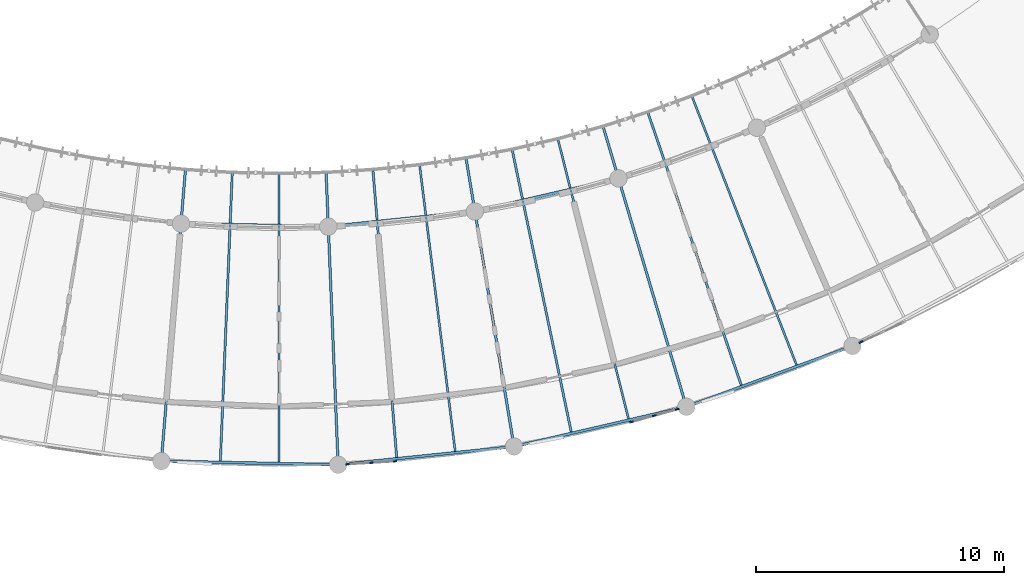
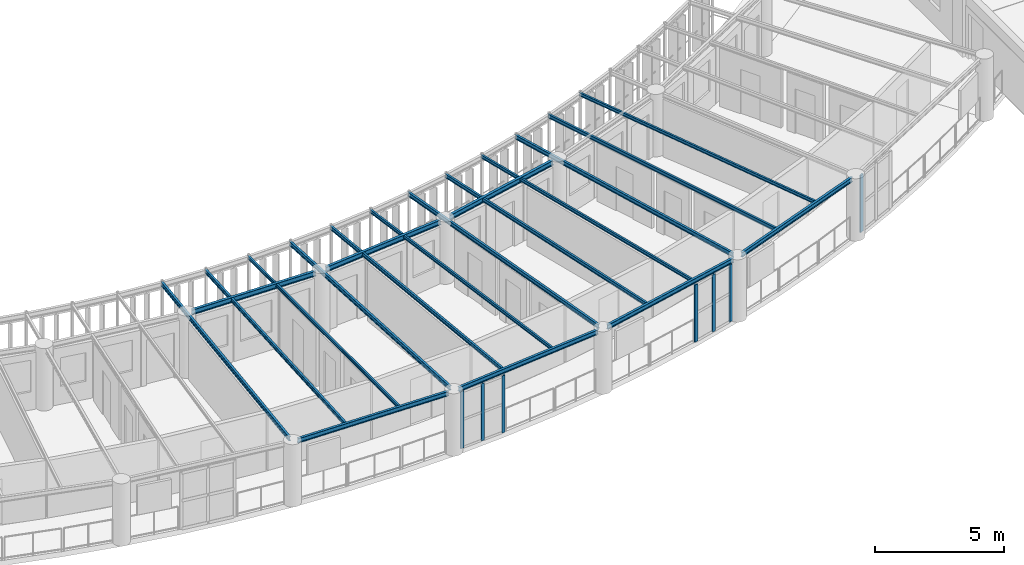
# One storey, part 28 of 137: 19 beams, 7 members, 3 elements without a shape of their own.
"""IFC4 building model written with IfcOpenShell, lengths in metres."""

from ifc_helpers import new_model, si_unit, direction, frame, origin, origin_2d, place, context, subcontext, project, spatial, rectangle, i_section, extrude, material, layer, layer_set, material_profile, profile_set, type_object, element, aggregate, save


model = new_model("IFC4")

# Units and contexts
model_context = context("Model", 3, precision=1e-05, world=origin(), true_north=direction((0.0, 1.0)))
body_context = subcontext(model_context, "Body", "Model", "MODEL_VIEW")
ifc_project = project(units=[si_unit("LENGTHUNIT", "METRE"), si_unit("AREAUNIT", "SQUARE_METRE"), si_unit("VOLUMEUNIT", "CUBIC_METRE"), si_unit("PLANEANGLEUNIT", "RADIAN"), si_unit("MASSUNIT", "GRAM", prefix="KILO"), si_unit("POWERUNIT", "WATT"), si_unit("THERMODYNAMICTEMPERATUREUNIT", "KELVIN")], contexts=[model_context])

# Site, building, storey
site_placement = place(None, origin())
site = spatial("IfcSite", under=ifc_project, at=site_placement, CompositionType="ELEMENT")
building_placement = place(site_placement, origin())
building = spatial("IfcBuilding", under=site, at=building_placement, Name="Ruvembo Vaulted Housing Court", CompositionType="ELEMENT")
storey_placement = place(building_placement, frame((0.0, 0.0, 4.5)))
storey = spatial("IfcBuildingStorey", under=building, at=storey_placement, Name="L01", CompositionType="ELEMENT", Elevation=4.5)

# Beams
ifc_material_1 = material(Name="Steel S355J2", Category="steel")
ifc_material_profile_1 = material_profile(ifc_material_1, i_section(OverallWidth=0.08203125, OverallDepth=0.159912109375, WebThickness=0.0048828125, FlangeThickness=0.00732421875, FilletRadius=0.009033203125, at=origin_2d()), Name="IPE 160")
ifc_profile_set_1 = profile_set([ifc_material_profile_1], Name="Steel S355J2")
beam_type_1 = type_object("IfcBeamType", Name="BM-ST-IPE160", PredefinedType="JOIST", material=ifc_profile_set_1)
beam_1_placement = place(storey_placement, frame((69.0, 4.548095703125, 2.860107421875), z_axis=(0.0, 1.0, 0.0), x_axis=(-1.0, 0.0, 0.0)))
element("IfcBeam", 1, at=beam_1_placement, inside=storey, type_object=beam_type_1, Name="Scoop SC2 L01 Radial Steel Joist 14", PredefinedType="JOIST", context=body_context, shape_type="SweptSolid", body=[
    extrude(i_section(OverallWidth=0.08203125, OverallDepth=0.159912109375, WebThickness=0.0048828125, FlangeThickness=0.00732421875, FilletRadius=0.009033203125, at=origin_2d()), origin(), (0.0, 0.0, 1.0), 11.69189453125),
])
beam_2_placement = place(storey_placement, frame((76.092041015625, 4.9873046875, 2.860107421875), z_axis=(-0.123446200649, 0.992351266208, 0.0), x_axis=(-0.992351266208, -0.123446200649, 0.0)))
element("IfcBeam", 2, at=beam_2_placement, inside=storey, type_object=beam_type_1, Name="Scoop SC2 L01 Radial Steel Joist 17", PredefinedType="JOIST", context=body_context, shape_type="SweptSolid", body=[
    extrude(i_section(OverallWidth=0.08203125, OverallDepth=0.159912109375, WebThickness=0.0048828125, FlangeThickness=0.00732421875, FilletRadius=0.009033203125, at=origin_2d()), origin(), (0.0, 0.0, 1.0), 11.692138671875),
])
for number, where, z_axis, x_axis, name in (
    (3, (83.07568359375, 6.299072265625, 2.860107421875), (-0.24500130138, 0.96952274977, 0.0), (-0.96952274977, -0.24500130138, 0.0), "Scoop SC2 L01 Radial Steel Joist 20"),
    (4, (89.843994140625, 8.462646484375, 2.860107421875), (-0.362810002235, 0.93186313495, 0.0), (-0.93186313495, -0.362810002235, 0.0), "Scoop SC2 L01 Radial Steel Joist 23"),
):
    element("IfcBeam", number, at=place(storey_placement, frame(where, z_axis=z_axis, x_axis=x_axis)), inside=storey, type_object=beam_type_1, Name=name, PredefinedType="JOIST", context=body_context, shape_type="SweptSolid", body=[
        extrude(i_section(OverallWidth=0.08203125, OverallDepth=0.159912109375, WebThickness=0.0048828125, FlangeThickness=0.00732421875, FilletRadius=0.009033203125, at=origin_2d()), origin(), (0.0, 0.0, 1.0), 11.69189453125),
    ])
ifc_material_profile_2 = material_profile(ifc_material_1, i_section(OverallWidth=0.091064453125, OverallDepth=0.179931640625, WebThickness=0.00537109375, FlangeThickness=0.008056640625, FilletRadius=0.009033203125, at=origin_2d()), Name="IPE 180")
ifc_profile_set_2 = profile_set([ifc_material_profile_2], Name="Steel S355J2")
beam_type_2 = type_object("IfcBeamType", Name="BM-ST-IPE180", PredefinedType="JOIST", material=ifc_profile_set_2)
for number, where, z_axis, x_axis, name in (
    (5, (66.630615234375, 4.596923828125, 2.85009765625), (0.041239703888, 0.999149281551, 0.0), (-0.999149281551, 0.041239703888, 0.0), "Scoop SC2 L01 Radial Steel Joist 13"),
    (6, (73.73486328125, 4.743408203125, 2.85009765625), (-0.082416447745, 0.996597977693, 0.0), (-0.996597977693, -0.082416447745, 0.0), "Scoop SC2 L01 Radial Steel Joist 16"),
):
    element("IfcBeam", number, at=place(storey_placement, frame(where, z_axis=z_axis, x_axis=x_axis)), inside=storey, type_object=beam_type_2, Name=name, PredefinedType="JOIST", context=body_context, shape_type="SweptSolid", body=[
        extrude(i_section(OverallWidth=0.091064453125, OverallDepth=0.179931640625, WebThickness=0.00537109375, FlangeThickness=0.008056640625, FilletRadius=0.009033203125, at=origin_2d()), origin(), (0.0, 0.0, 1.0), 11.692138671875),
    ])
beam_3_placement = place(storey_placement, frame((80.7666015625, 5.765869140625, 2.85009765625), z_axis=(-0.204822214104, 0.9787991932, 0.0), x_axis=(-0.9787991932, -0.204822214104, 0.0)))
element("IfcBeam", 7, at=beam_3_placement, inside=storey, type_object=beam_type_2, Name="Scoop SC2 L01 Radial Steel Joist 19", PredefinedType="JOIST", context=body_context, shape_type="SweptSolid", body=[
    extrude(i_section(OverallWidth=0.091064453125, OverallDepth=0.179931640625, WebThickness=0.00537109375, FlangeThickness=0.008056640625, FilletRadius=0.009033203125, at=origin_2d()), origin(), (0.0, 0.0, 1.0), 11.69189453125),
])
beam_4_placement = place(storey_placement, frame((87.618408203125, 7.6484375, 2.85009765625), z_axis=(-0.324072338174, 0.946032303693, 0.0), x_axis=(-0.946032303693, -0.324072338174, 0.0)))
element("IfcBeam", 8, at=beam_4_placement, inside=storey, type_object=beam_type_2, Name="Scoop SC2 L01 Radial Steel Joist 22", PredefinedType="JOIST", context=body_context, shape_type="SweptSolid", body=[
    extrude(i_section(OverallWidth=0.091064453125, OverallDepth=0.179931640625, WebThickness=0.00537109375, FlangeThickness=0.008056640625, FilletRadius=0.009033203125, at=origin_2d()), origin(), (0.0, 0.0, 1.0), 11.692138671875),
])
ifc_material_profile_3 = material_profile(ifc_material_1, i_section(OverallWidth=0.10009765625, OverallDepth=0.199951171875, WebThickness=0.005615234375, FlangeThickness=0.008544921875, FilletRadius=0.011962890625, at=origin_2d()), Name="IPE 200")
ifc_profile_set_3 = profile_set([ifc_material_profile_3], Name="Steel S355J2")
beam_type_3 = type_object("IfcBeamType", Name="BM-ST-IPE200", PredefinedType="BEAM", material=ifc_profile_set_3)
for number, where, z_axis, x_axis, name in (
    (9, (64.27197265625, 4.8251953125, 2.840087890625), (0.082410260581, 0.996598489338, 0.0), (-0.996598489338, 0.082410260581, 0.0), "Scoop SC2 L01 Radial Steel Joist 12"),
    (10, (71.365966796875, 4.6787109375, 2.840087890625), (-0.041236073555, 0.999149431385, 0.0), (-0.999149431385, -0.041236073555, 0.0), "Scoop SC2 L01 Radial Steel Joist 15"),
    (11, (78.423828125, 5.4091796875, 2.840087890625), (-0.164272816363, 0.986414944029, 0.0), (-0.986414944029, -0.164272816363, 0.0), "Scoop SC2 L01 Radial Steel Joist 18"),
):
    element("IfcBeam", number, at=place(storey_placement, frame(where, z_axis=z_axis, x_axis=x_axis)), inside=storey, type_object=beam_type_3, Name=name, PredefinedType="BEAM", context=body_context, shape_type="SweptSolid", body=[
        extrude(i_section(OverallWidth=0.10009765625, OverallDepth=0.199951171875, WebThickness=0.005615234375, FlangeThickness=0.008544921875, FilletRadius=0.011962890625, at=origin_2d()), origin(), (0.0, 0.0, 1.0), 11.610107421875),
    ])
beam_5_placement = place(storey_placement, frame((85.337646484375, 7.005615234375, 2.840087890625), z_axis=(-0.28479063066, 0.95858974368, 0.0), x_axis=(-0.95858974368, -0.28479063066, 0.0)))
element("IfcBeam", 12, at=beam_5_placement, inside=storey, type_object=beam_type_3, Name="Scoop SC2 L01 Radial Steel Joist 21", PredefinedType="BEAM", context=body_context, shape_type="SweptSolid", body=[
    extrude(i_section(OverallWidth=0.10009765625, OverallDepth=0.199951171875, WebThickness=0.005615234375, FlangeThickness=0.008544921875, FilletRadius=0.011962890625, at=origin_2d()), origin(), (0.0, 0.0, 1.0), 11.60986328125),
])
ifc_material_profile_4 = material_profile(ifc_material_1, i_section(OverallWidth=0.110107421875, OverallDepth=0.219970703125, WebThickness=0.005859375, FlangeThickness=0.00927734375, FilletRadius=0.011962890625, at=origin_2d()), Name="IPE 220")
ifc_profile_set_4 = profile_set([ifc_material_profile_4], Name="Steel S355J2")
beam_type_4 = type_object("IfcBeamType", Name="BM-ST-IPE220", PredefinedType="SPANDREL", material=ifc_profile_set_4)
for number, where, z_axis, x_axis, name in (
    (13, (64.48291015625, 4.59130859375, 2.83203125), (0.999786507784, -0.020662498732, 0.0), (0.020662498732, 0.999786507784, 0.0), "Scoop SC2 L01 Chord Girder B12"),
    (14, (71.604248046875, 4.47265625, 2.83203125), (0.994687008603, 0.102945397745, 0.0), (-0.102945397745, 0.994687008603, 0.0), "Scoop SC2 L01 Chord Girder B15"),
    (15, (78.685791015625, 5.234130859375, 2.83203125), (0.974363402743, 0.224979908868, 0.0), (-0.224979908868, 0.974363402743, 0.0), "Scoop SC2 L01 Chord Girder B18"),
    (16, (85.619140625, 6.864013671875, 2.83203125), (0.939142455979, 0.343527942645, 0.0), (-0.343527942645, 0.939142455979, 0.0), "Scoop SC2 L01 Chord Girder B21"),
):
    element("IfcBeam", number, at=place(storey_placement, frame(where, z_axis=z_axis, x_axis=x_axis)), inside=storey, type_object=beam_type_4, Name=name, PredefinedType="SPANDREL", context=body_context, shape_type="SweptSolid", body=[
        extrude(i_section(OverallWidth=0.110107421875, OverallDepth=0.219970703125, WebThickness=0.005859375, FlangeThickness=0.00927734375, FilletRadius=0.011962890625, at=origin_2d()), origin(), (0.0, 0.0, 1.0), 6.6640625),
    ])
ifc_material_profile_5 = material_profile(ifc_material_1, i_section(OverallWidth=0.1201171875, OverallDepth=0.239990234375, WebThickness=0.006103515625, FlangeThickness=0.009765625, FilletRadius=0.014892578125, at=origin_2d()), Name="IPE 240")
ifc_profile_set_5 = profile_set([ifc_material_profile_5], Name="Steel S355J2")
beam_type_5 = type_object("IfcBeamType", Name="BM-ST-IPE240", PredefinedType="BEAM", material=ifc_profile_set_5)
for number, where, z_axis, x_axis, name in (
    (17, (65.274169921875, 14.15869140625, 2.822021484375), (0.999786044132, -0.020684921054, 0.0), (0.020684921054, 0.999786044132, 0.0), "Scoop SC2 L01 Chord Girder F12"),
    (18, (71.20849609375, 14.064453125, 2.822021484375), (0.994683766642, 0.102976717651, 0.0), (-0.102976717651, 0.994683766642, 0.0), "Scoop SC2 L01 Chord Girder F15"),
    (19, (77.10888671875, 14.70361328125, 2.822021484375), (0.974361133797, 0.2249897352, 0.0), (-0.2249897352, 0.974361133797, 0.0), "Scoop SC2 L01 Chord Girder F18"),
):
    element("IfcBeam", number, at=place(storey_placement, frame(where, z_axis=z_axis, x_axis=x_axis)), inside=storey, type_object=beam_type_5, Name=name, PredefinedType="BEAM", context=body_context, shape_type="SweptSolid", body=[
        extrude(i_section(OverallWidth=0.1201171875, OverallDepth=0.239990234375, WebThickness=0.006103515625, FlangeThickness=0.009765625, FilletRadius=0.014892578125, at=origin_2d()), origin(), (0.0, 0.0, 1.0), 5.4765625),
    ])

# Curtain wall, members
ifc_material_2 = material(Name="Anodised Aluminium and Solar-Control Glass", Category="aluminium")
ifc_layer_1 = layer(ifc_material_2, 0.1201171875, Name="Anodised Aluminium and Solar-Control Glass")
ifc_layer_set_1 = layer_set([ifc_layer_1], Name="Anodised Aluminium and Solar-Control Glass")
curtain_wall_type_1 = type_object("IfcCurtainWallType", Name="CW-SCOOP-GAL", PredefinedType="NOTDEFINED", material=ifc_layer_set_1)
curtain_wall_1_placement = place(storey_placement, origin())
curtain_wall_1 = element("IfcCurtainWall", 20, at=curtain_wall_1_placement, inside=storey, type_object=curtain_wall_type_1, Name="L01 Curtain Wall CW-L01-0032", PredefinedType="NOTDEFINED")
ifc_material_3 = material(Name="Anodised Aluminium 6063-T6", Category="aluminium")
ifc_material_profile_6 = material_profile(ifc_material_3, rectangle(XDim=0.06005859375, YDim=0.139892578125, at=origin_2d()), Name="ALU 60x140")
ifc_profile_set_6 = profile_set([ifc_material_profile_6], Name="Anodised Aluminium 6063-T6")
member_type_1 = type_object("IfcMemberType", Name="CW-MUL-60x140", PredefinedType="MULLION", material=ifc_profile_set_6)
member_1_placement = place(storey_placement, frame((71.754638671875, 4.472412109375, 0.0), z_axis=(0.0, 0.0, 1.0), x_axis=(-0.061839538585, 0.998086104235, 0.0)))
member_1 = element("IfcMember", 21, at=member_1_placement, type_object=member_type_1, Name="CW6 mullion 1", PredefinedType="MULLION", context=body_context, shape_type="SweptSolid", body=[
    extrude(rectangle(XDim=0.06005859375, YDim=0.139892578125, at=origin_2d()), origin(), (0.0, 0.0, 1.0), 2.697998046875),
])
member_2_placement = place(storey_placement, frame((72.7109375, 4.53173828125, 0.0), z_axis=(0.0, 0.0, 1.0), x_axis=(-0.061839538585, 0.998086104235, 0.0)))
member_2 = element("IfcMember", 22, at=member_2_placement, type_object=member_type_1, Name="CW6 mullion 2", PredefinedType="MULLION", context=body_context, shape_type="SweptSolid", body=[
    extrude(rectangle(XDim=0.06005859375, YDim=0.139892578125, at=origin_2d()), origin(), (0.0, 0.0, 1.0), 2.697998046875),
])
member_3_placement = place(storey_placement, frame((73.667236328125, 4.591064453125, 0.0), z_axis=(0.0, 0.0, 1.0), x_axis=(-0.061839538585, 0.998086104235, 0.0)))
member_3 = element("IfcMember", 23, at=member_3_placement, type_object=member_type_1, Name="CW6 mullion 3", PredefinedType="MULLION", context=body_context, shape_type="SweptSolid", body=[
    extrude(rectangle(XDim=0.06005859375, YDim=0.139892578125, at=origin_2d()), origin(), (0.0, 0.0, 1.0), 2.697998046875),
])
aggregate(curtain_wall_1, [member_1, member_2, member_3])

# Curtain wall, member
ifc_layer_2 = layer(ifc_material_2, 0.139892578125, Name="Anodised Aluminium and Solar-Control Glass")
ifc_layer_set_2 = layer_set([ifc_layer_2], Name="Anodised Aluminium and Solar-Control Glass")
curtain_wall_type_2 = type_object("IfcCurtainWallType", Name="CW-SCOOP-PAN", PredefinedType="NOTDEFINED", material=ifc_layer_set_2)
curtain_wall_2_placement = place(storey_placement, origin())
curtain_wall_2 = element("IfcCurtainWall", 24, at=curtain_wall_2_placement, inside=storey, type_object=curtain_wall_type_2, Name="L01 Curtain Wall CW-L01-0034", PredefinedType="NOTDEFINED")
ifc_material_profile_7 = material_profile(ifc_material_3, rectangle(XDim=0.06494140625, YDim=0.179931640625, at=origin_2d()), Name="ALU 65x180")
ifc_profile_set_7 = profile_set([ifc_material_profile_7], Name="Anodised Aluminium 6063-T6")
member_type_2 = type_object("IfcMemberType", Name="CW-MUL-65x180", PredefinedType="MULLION", material=ifc_profile_set_7)
member_4_placement = place(storey_placement, frame((92.44091796875, 9.392822265625, 0.0), z_axis=(0.0, 0.0, 1.0), x_axis=(-0.419738421805, 0.907645116365, 0.0)))
member_4 = element("IfcMember", 25, at=member_4_placement, type_object=member_type_2, Name="CW10 mullion 1", PredefinedType="MULLION", context=body_context, shape_type="SweptSolid", body=[
    extrude(rectangle(XDim=0.06494140625, YDim=0.179931640625, at=origin_2d()), origin(), (0.0, 0.0, 1.0), 2.697998046875),
])
aggregate(curtain_wall_2, [member_4])

# Curtain wall, members
curtain_wall_3_placement = place(storey_placement, origin())
curtain_wall_3 = element("IfcCurtainWall", 26, at=curtain_wall_3_placement, inside=storey, type_object=curtain_wall_type_2, Name="L01 Curtain Wall CW-L01-0033", PredefinedType="NOTDEFINED")
ifc_material_profile_8 = material_profile(ifc_material_3, rectangle(XDim=0.06005859375, YDim=0.159912109375, at=origin_2d()), Name="ALU 60x160")
ifc_profile_set_8 = profile_set([ifc_material_profile_8], Name="Anodised Aluminium 6063-T6")
member_type_3 = type_object("IfcMemberType", Name="CW-MULLION-65x150", PredefinedType="MULLION", material=ifc_profile_set_8)
member_5_placement = place(storey_placement, frame((83.189208984375, 6.1767578125, 0.0), z_axis=(0.0, 0.0, 1.0), x_axis=(-0.264975341966, 0.964255188293, 0.0)))
member_5 = element("IfcMember", 27, at=member_5_placement, type_object=member_type_3, Name="CW10 mullion 1", PredefinedType="MULLION", context=body_context, shape_type="SweptSolid", body=[
    extrude(rectangle(XDim=0.06005859375, YDim=0.159912109375, at=origin_2d()), origin(), (0.0, 0.0, 1.0), 2.697998046875),
])
member_6_placement = place(storey_placement, frame((84.11279296875, 6.430419921875, 0.0), z_axis=(0.0, 0.0, 1.0), x_axis=(-0.264975341966, 0.964255188293, 0.0)))
member_6 = element("IfcMember", 28, at=member_6_placement, type_object=member_type_3, Name="CW10 mullion 2", PredefinedType="MULLION", context=body_context, shape_type="SweptSolid", body=[
    extrude(rectangle(XDim=0.06005859375, YDim=0.159912109375, at=origin_2d()), origin(), (0.0, 0.0, 1.0), 2.697998046875),
])
member_7_placement = place(storey_placement, frame((85.03662109375, 6.684326171875, 0.0), z_axis=(0.0, 0.0, 1.0), x_axis=(-0.264975341966, 0.964255188293, 0.0)))
member_7 = element("IfcMember", 29, at=member_7_placement, type_object=member_type_3, Name="CW10 mullion 3", PredefinedType="MULLION", context=body_context, shape_type="SweptSolid", body=[
    extrude(rectangle(XDim=0.06005859375, YDim=0.159912109375, at=origin_2d()), origin(), (0.0, 0.0, 1.0), 2.697998046875),
])
aggregate(curtain_wall_3, [member_5, member_6, member_7])

save(model, "model.ifc")
